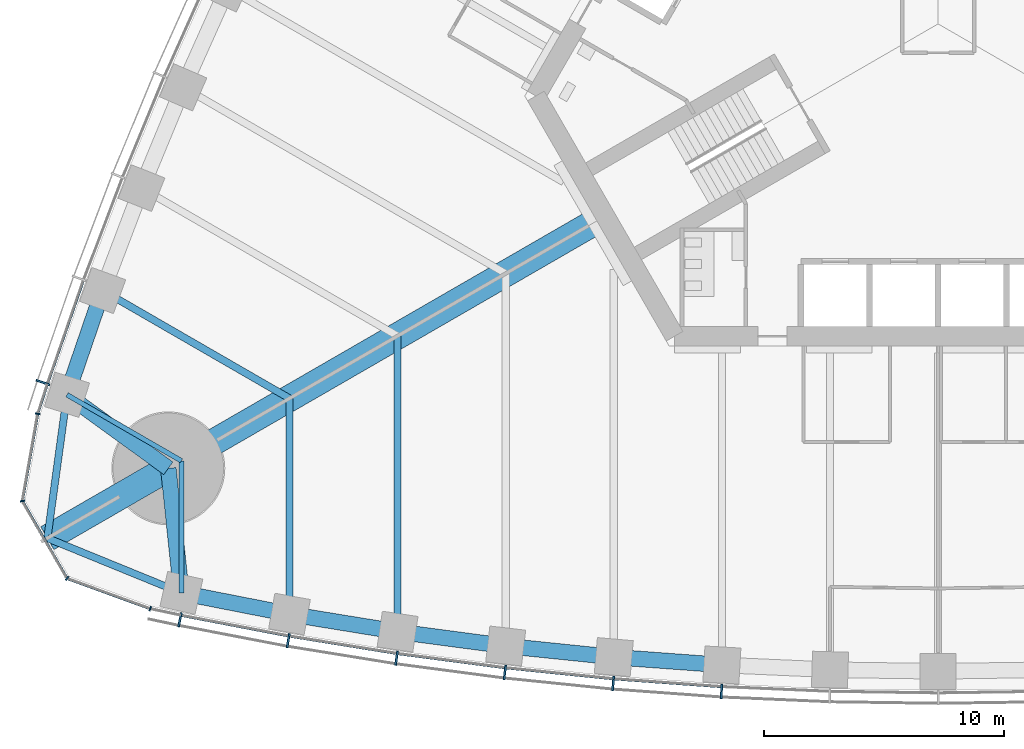
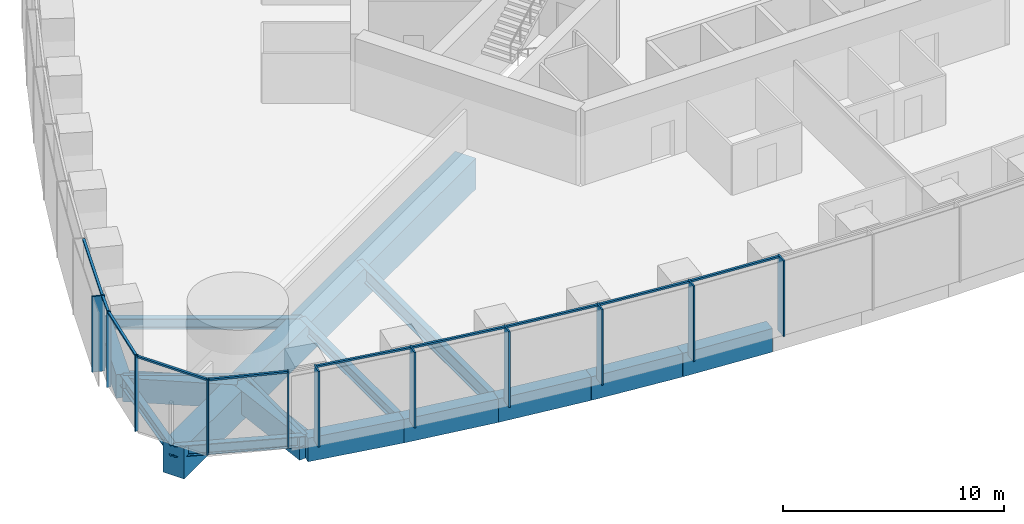
# One storey, part 2 of 18: 21 members, 17 beams, 3 elements without a shape of their own.
"""IFC4 building model written with IfcOpenShell, lengths in metres."""

import ifcopenshell
import ifcopenshell.guid

model = None  # the IFC model being written
_history = None  # IfcOwnerHistory: only IFC2X3 demands one
_inside = {}  # id of a spatial element -> (the spatial element, [elements in it])
_under = {}  # id of a project, library or spatial element -> (it, [spatial elements below it])
_declared = {}  # id of a project -> (the project, [libraries it declares])
_typed = {}  # id of a type object -> (the type object, [elements of that type])
_made_of = {}  # id of a material, layer set ... -> (it, [elements and type objects made of it])


def new_model(schema):
    """Start an empty IFC model of exactly this schema.

    Asked for "IFC4X3", IfcOpenShell would pick the latest addendum, in which some entities
    have other attributes; the version numbers below select the first issue.
    IFC2X3 requires an IfcOwnerHistory on every rooted entity: one is made here for all.
    """
    global model, _history
    if schema == "IFC4X3":
        model = ifcopenshell.file(schema_version=(4, 3, 0, 0))
    else:
        model = ifcopenshell.file(schema=schema)
    _inside.clear()
    _under.clear()
    _declared.clear()
    _typed.clear()
    _made_of.clear()
    _history = None
    if model.schema == "IFC2X3":
        org = make("IfcOrganization", Name="unknown")
        user = make(
            "IfcPersonAndOrganization",
            ThePerson=make("IfcPerson", FamilyName="unknown"),
            TheOrganization=org,
        )
        app = make(
            "IfcApplication",
            ApplicationDeveloper=org,
            Version="unknown",
            ApplicationFullName="unknown",
            ApplicationIdentifier="unknown",
        )
        _history = make(
            "IfcOwnerHistory",
            OwningUser=user,
            OwningApplication=app,
            ChangeAction="ADDED",
            CreationDate=0,
        )
    return model


def make(cls, **values):
    """One entity of the class cls with the attributes given. An attribute that is None is left unset."""
    return model.create_entity(
        cls, **{name: value for name, value in values.items() if value is not None}
    )


def rooted(cls, **values):
    """An entity with a GlobalId (a new one), such as an element, a storey or a relation."""
    return make(cls, GlobalId=ifcopenshell.guid.new(), OwnerHistory=_history, **values)


def si_unit(unit_type, name, prefix=None):
    """IfcSIUnit, for example si_unit("LENGTHUNIT", "METRE", prefix="MILLI")."""
    return make("IfcSIUnit", UnitType=unit_type, Prefix=prefix, Name=name)


def assignment(units):
    """IfcUnitAssignment: the units of a project."""
    return None if units is None else make("IfcUnitAssignment", Units=units)


def point(xyz):
    """IfcCartesianPoint."""
    return None if xyz is None else make("IfcCartesianPoint", Coordinates=xyz)


def direction(xyz):
    """IfcDirection."""
    return None if xyz is None else make("IfcDirection", DirectionRatios=xyz)


def frame(location, z_axis=None, x_axis=None):
    """IfcAxis2Placement3D, a coordinate frame: its origin and axes. An axis left out is left unset."""
    return make(
        "IfcAxis2Placement3D",
        Location=point(location),
        Axis=direction(z_axis),
        RefDirection=direction(x_axis),
    )


def frame_2d(location, x_axis=None):
    """IfcAxis2Placement2D, a coordinate frame in the plane: its origin and x axis."""
    return make(
        "IfcAxis2Placement2D", Location=point(location), RefDirection=direction(x_axis)
    )


def origin():
    """The frame at (0, 0, 0) with its axes left unset."""
    return frame((0.0, 0.0, 0.0))


def origin_2d():
    """The frame at (0, 0) in the plane with its x axis left unset."""
    return frame_2d((0.0, 0.0))


def place(relative_to, where):
    """IfcLocalPlacement: puts the frame where relative to a parent placement (None: the world)."""
    return make(
        "IfcLocalPlacement", PlacementRelTo=relative_to, RelativePlacement=where
    )


def context(
    kind, dimensions, precision=None, world=None, true_north=None, identifier=None
):
    """IfcGeometricRepresentationContext, for example the 3D "Model" context."""
    return make(
        "IfcGeometricRepresentationContext",
        ContextIdentifier=identifier,
        ContextType=kind,
        CoordinateSpaceDimension=dimensions,
        Precision=precision,
        WorldCoordinateSystem=world,
        TrueNorth=true_north,
    )


def subcontext(parent, identifier, kind, view, scale=None):
    """IfcGeometricRepresentationSubContext, for example "Body" below "Model"."""
    return make(
        "IfcGeometricRepresentationSubContext",
        ContextIdentifier=identifier,
        ContextType=kind,
        ParentContext=parent,
        TargetScale=scale,
        TargetView=view,
    )


def project(units=None, contexts=None):
    """IfcProject with its units and contexts."""
    return rooted(
        "IfcProject",
        Name="project",
        RepresentationContexts=contexts,
        UnitsInContext=assignment(units),
    )


def spatial(cls, under=None, at=None, **own):
    """A site, building, storey or space (cls), placed at a placement, below another one or the project."""
    s = rooted(cls, ObjectPlacement=at, **own)
    if under is not None:
        _under.setdefault(under.id(), (under, []))[1].append(s)
    return s


def profile(cls, at=None, kind="AREA", **sizes):
    """A parametric profile (cls). Its sizes go by their IFC names, for example OverallWidth=200.0."""
    return make(cls, ProfileType=kind, Position=at, **sizes)


def rectangle(**sizes):
    """IfcRectangleProfileDef."""
    return profile("IfcRectangleProfileDef", **sizes)


def i_section(**sizes):
    """IfcIShapeProfileDef."""
    return profile("IfcIShapeProfileDef", **sizes)


def extrude(swept, where, along, depth):
    """IfcExtrudedAreaSolid: the profile swept, set in the frame where, extruded along a direction by depth."""
    return make(
        "IfcExtrudedAreaSolid",
        SweptArea=swept,
        Position=where,
        ExtrudedDirection=direction(along),
        Depth=depth,
    )


def shape(context_of_items, identifier, shape_type, items):
    """IfcShapeRepresentation: the items that make up one representation, for example the "Body"."""
    return make(
        "IfcShapeRepresentation",
        ContextOfItems=context_of_items,
        RepresentationIdentifier=identifier,
        RepresentationType=shape_type,
        Items=items,
    )


def material(Name=None, Category=None):
    """IfcMaterial."""
    return make("IfcMaterial", Name=Name, Category=Category)


def material_profile(
    of_material, cross_section, Name=None, Category=None, Priority=None
):
    """IfcMaterialProfile: a cross section and its material."""
    return make(
        "IfcMaterialProfile",
        Name=Name,
        Material=of_material,
        Profile=cross_section,
        Priority=Priority,
        Category=Category,
    )


def profile_set(profiles, Name=None, composite=None):
    """IfcMaterialProfileSet."""
    return make(
        "IfcMaterialProfileSet",
        Name=Name,
        MaterialProfiles=profiles,
        CompositeProfile=composite,
    )


def made_of(thing, what):
    """Note that an element or type object is made of a material, layer set ...; save() writes the relation."""
    if what is not None:
        _made_of.setdefault(what.id(), (what, []))[1].append(thing)
    return thing


def type_object(cls, material=None, **own):
    """A type object (cls), such as IfcWallType, which elements share."""
    return made_of(rooted(cls, **own), material)


def element(
    cls,
    number,
    at=None,
    inside=None,
    cuts=None,
    type_object=None,
    material=None,
    context=None,
    identifier="Body",
    shape_type=None,
    held_by="IfcProductDefinitionShape",
    body=None,
    shapes=None,
    **own,
):
    """One element of the class cls, such as IfcWall. Its Tag is "e" and its number.

    at: its placement. inside: the storey or other place that contains it. cuts: it is an
    opening in that element (IfcRelVoidsElement). A single representation is given by context,
    identifier, shape_type and body (its items); several are given by shapes. held_by: the class
    of the entity that holds the representations. save() writes the other relations.
    """
    e = rooted(cls, Tag="e%d" % number, ObjectPlacement=at, **own)
    if body is not None:
        shapes = [shape(context, identifier, shape_type, body)]
    if shapes is not None:
        e.Representation = make(held_by, Representations=shapes)
    if inside is not None:
        _inside.setdefault(inside.id(), (inside, []))[1].append(e)
    if cuts is not None:
        rooted(
            "IfcRelVoidsElement", RelatingBuildingElement=cuts, RelatedOpeningElement=e
        )
    if type_object is not None:
        _typed.setdefault(type_object.id(), (type_object, []))[1].append(e)
    return made_of(e, material)


def aggregate(whole, parts):
    """IfcRelAggregates: a whole, such as a stair, and the parts it consists of."""
    return rooted("IfcRelAggregates", RelatingObject=whole, RelatedObjects=parts)


def save(model, path):
    """Write the relations noted so far, then the file.

    IfcRelAggregates (storeys below a building ...), IfcRelContainedInSpatialStructure (elements
    in a storey), IfcRelDefinesByType, IfcRelAssociatesMaterial and IfcRelDeclares: one each for
    every whole, place, type object, material and project.
    """
    for whole, parts in _under.values():
        aggregate(whole, parts)
    for where, things in _inside.values():
        rooted(
            "IfcRelContainedInSpatialStructure",
            RelatedElements=things,
            RelatingStructure=where,
        )
    for kind, things in _typed.values():
        rooted("IfcRelDefinesByType", RelatedObjects=things, RelatingType=kind)
    for what, things in _made_of.values():
        rooted("IfcRelAssociatesMaterial", RelatedObjects=things, RelatingMaterial=what)
    for by, libraries in _declared.values():
        rooted("IfcRelDeclares", RelatingContext=by, RelatedDefinitions=libraries)
    model.write(path)


model = new_model("IFC4")

# Units and contexts
model_context = context("Model", 3, precision=1e-05, world=origin(), true_north=direction((0.0, 1.0)))
body_context = subcontext(model_context, "Body", "Model", "MODEL_VIEW")
ifc_project = project(units=[si_unit("LENGTHUNIT", "METRE"), si_unit("AREAUNIT", "SQUARE_METRE"), si_unit("VOLUMEUNIT", "CUBIC_METRE"), si_unit("PLANEANGLEUNIT", "RADIAN"), si_unit("MASSUNIT", "GRAM", prefix="KILO")], contexts=[model_context])

# Site, building, storey
site_placement = place(None, origin())
site = spatial("IfcSite", under=ifc_project, at=site_placement, CompositionType="ELEMENT")
building_placement = place(site_placement, origin())
building = spatial("IfcBuilding", under=site, at=building_placement, Name="Trefoil Bronze Tower", CompositionType="ELEMENT")
storey_placement = place(building_placement, frame((0.0, 0.0, 37.5)))
storey = spatial("IfcBuildingStorey", under=building, at=storey_placement, Name="L08", CompositionType="ELEMENT", Elevation=37.5)

# Curtain wall, members
ifc_material_1 = material(Name="Tinted solar-control glass", Category="glass")
curtain_wall_type_1 = type_object("IfcCurtainWallType", Name="Bronze office curtain wall", PredefinedType="USERDEFINED", material=ifc_material_1)
curtain_wall_1_placement = place(storey_placement, origin())
curtain_wall_1 = element("IfcCurtainWall", 1, at=curtain_wall_1_placement, inside=storey, type_object=curtain_wall_type_1, Name="CW-A L08 F1", ObjectType="CURTAIN WALL", PredefinedType="USERDEFINED")
ifc_material_2 = material(Name="Bronze-finish aluminium", Category="aluminium")
ifc_material_profile_1 = material_profile(ifc_material_2, rectangle(XDim=0.60009765625, YDim=0.080078125, at=origin_2d()), Name="CW-A mullion")
ifc_profile_set_1 = profile_set([ifc_material_profile_1], Name="Bronze-finish aluminium")
member_type_1 = type_object("IfcMemberType", Name="Bronze office curtain wall mullion", PredefinedType="MULLION", material=ifc_profile_set_1)
member_1_placement = place(storey_placement, frame((-31.559326171875, -24.81005859375, 0.0), z_axis=(0.0, 0.0, 1.0), x_axis=(0.197910006829, 0.98022019424, 0.0)))
member_1 = element("IfcMember", 2, at=member_1_placement, type_object=member_type_1, Name="CW-A L08 F1 mullion 2", PredefinedType="MULLION", context=body_context, shape_type="SweptSolid", body=[
    extrude(rectangle(XDim=0.60009765625, YDim=0.080078125, at=origin_2d()), origin(), (0.0, 0.0, 1.0), 4.179931640625),
])
member_2_placement = place(storey_placement, frame((-27.05224609375, -25.67578125, 0.0), z_axis=(0.0, 0.0, 1.0), x_axis=(0.174131146426, 0.984722470468, 0.0)))
member_2 = element("IfcMember", 3, at=member_2_placement, type_object=member_type_1, Name="CW-A L08 F1 mullion 3", PredefinedType="MULLION", context=body_context, shape_type="SweptSolid", body=[
    extrude(rectangle(XDim=0.60009765625, YDim=0.080078125, at=origin_2d()), origin(), (0.0, 0.0, 1.0), 4.179931640625),
])
member_3_placement = place(storey_placement, frame((-22.54345703125, -26.40478515625, 0.0), z_axis=(0.0, 0.0, 1.0), x_axis=(0.145108990094, 0.989415676546, 0.0)))
member_3 = element("IfcMember", 4, at=member_3_placement, type_object=member_type_1, Name="CW-A L08 F1 mullion 4", PredefinedType="MULLION", context=body_context, shape_type="SweptSolid", body=[
    extrude(rectangle(XDim=0.60009765625, YDim=0.080078125, at=origin_2d()), origin(), (0.0, 0.0, 1.0), 4.179931640625),
])
member_4_placement = place(storey_placement, frame((-18.034912109375, -26.99853515625, 0.0), z_axis=(0.0, 0.0, 1.0), x_axis=(0.116086999973, 0.993239048989, 0.0)))
member_4 = element("IfcMember", 5, at=member_4_placement, type_object=member_type_1, Name="CW-A L08 F1 mullion 5", PredefinedType="MULLION", context=body_context, shape_type="SweptSolid", body=[
    extrude(rectangle(XDim=0.60009765625, YDim=0.080078125, at=origin_2d()), origin(), (0.0, 0.0, 1.0), 4.179931640625),
])
member_5_placement = place(storey_placement, frame((-13.526123046875, -27.458984375, 0.0), z_axis=(0.0, 0.0, 1.0), x_axis=(0.087065139456, 0.996202620701, 0.0)))
member_5 = element("IfcMember", 6, at=member_5_placement, type_object=member_type_1, Name="CW-A L08 F1 mullion 6", PredefinedType="MULLION", context=body_context, shape_type="SweptSolid", body=[
    extrude(rectangle(XDim=0.60009765625, YDim=0.080078125, at=origin_2d()), origin(), (0.0, 0.0, 1.0), 4.179931640625),
])
member_6_placement = place(storey_placement, frame((-9.017333984375, -27.786865234375, 0.0), z_axis=(0.0, 0.0, 1.0), x_axis=(0.058043374207, 0.998314062162, 0.0)))
member_6 = element("IfcMember", 7, at=member_6_placement, type_object=member_type_1, Name="CW-A L08 F1 mullion 7", PredefinedType="MULLION", context=body_context, shape_type="SweptSolid", body=[
    extrude(rectangle(XDim=0.60009765625, YDim=0.080078125, at=origin_2d()), origin(), (0.0, 0.0, 1.0), 4.179931640625),
])

# Curtain wall, member
curtain_wall_2_placement = place(storey_placement, origin())
curtain_wall_2 = element("IfcCurtainWall", 8, at=curtain_wall_2_placement, inside=storey, type_object=curtain_wall_type_1, Name="CW-A L08 F3", ObjectType="CURTAIN WALL", PredefinedType="USERDEFINED")
member_7_placement = place(storey_placement, frame((-37.265869140625, -14.92626953125, 0.0), z_axis=(0.0, 0.0, 1.0), x_axis=(0.947850592929, -0.318715003543, 0.0)))
member_7 = element("IfcMember", 9, at=member_7_placement, type_object=member_type_1, Name="CW-A L08 F3 mullion 16", PredefinedType="MULLION", context=body_context, shape_type="SweptSolid", body=[
    extrude(rectangle(XDim=0.60009765625, YDim=0.080078125, at=origin_2d()), origin(), (0.0, 0.0, 1.0), 4.179931640625),
])

# Member
ifc_material_3 = material(Name="Bronze-finish aluminium", Category="aluminium")
ifc_material_profile_2 = material_profile(ifc_material_3, rectangle(XDim=0.1201171875, YDim=0.10009765625, at=origin_2d()), Name="CW-A transom")
ifc_profile_set_2 = profile_set([ifc_material_profile_2], Name="Bronze-finish aluminium")
member_type_2 = type_object("IfcMemberType", Name="Bronze office curtain wall transom", PredefinedType="USERDEFINED", material=ifc_profile_set_2)
member_8_placement = place(storey_placement, frame((-31.4794921875, -24.621826171875, 4.1298828125), z_axis=(0.982053603997, -0.188602011855, 0.0), x_axis=(0.188602011855, 0.982053603997, 0.0)))
member_8 = element("IfcMember", 10, at=member_8_placement, type_object=member_type_2, Name="CW-A L08 F1 transom 2", ObjectType="TRANSOM", PredefinedType="USERDEFINED", context=body_context, shape_type="SweptSolid", body=[
    extrude(rectangle(XDim=0.1201171875, YDim=0.10009765625, at=origin_2d()), origin(), (0.0, 0.0, 1.0), 4.502197265625),
])

member_9_placement = place(storey_placement, frame((-26.9765625, -25.4853515625, 4.1298828125), z_axis=(0.987179401487, -0.159614627398, 0.0), x_axis=(0.159614627398, 0.987179401487, 0.0)))
member_9 = element("IfcMember", 11, at=member_9_placement, type_object=member_type_2, Name="CW-A L08 F1 transom 3", ObjectType="TRANSOM", PredefinedType="USERDEFINED", context=body_context, shape_type="SweptSolid", body=[
    extrude(rectangle(XDim=0.1201171875, YDim=0.10009765625, at=origin_2d()), origin(), (0.0, 0.0, 1.0), 4.478515625),
])

member_10_placement = place(storey_placement, frame((-22.473388671875, -26.212158203125, 4.1298828125), z_axis=(0.991436581643, -0.13058906761, 0.0), x_axis=(0.13058906761, 0.991436581643, 0.0)))
member_10 = element("IfcMember", 12, at=member_10_placement, type_object=member_type_2, Name="CW-A L08 F1 transom 4", ObjectType="TRANSOM", PredefinedType="USERDEFINED", context=body_context, shape_type="SweptSolid", body=[
    extrude(rectangle(XDim=0.1201171875, YDim=0.10009765625, at=origin_2d()), origin(), (0.0, 0.0, 1.0), 4.458740234375),
])

member_11_placement = place(storey_placement, frame((-17.970458984375, -26.80419921875, 4.1298828125), z_axis=(0.994831650915, -0.101538102888, 0.0), x_axis=(0.101538102888, 0.994831650915, 0.0)))
member_11 = element("IfcMember", 13, at=member_11_placement, type_object=member_type_2, Name="CW-A L08 F1 transom 5", ObjectType="TRANSOM", PredefinedType="USERDEFINED", context=body_context, shape_type="SweptSolid", body=[
    extrude(rectangle(XDim=0.1201171875, YDim=0.10009765625, at=origin_2d()), origin(), (0.0, 0.0, 1.0), 4.443359375),
])

member_12_placement = place(storey_placement, frame((-13.46728515625, -27.2626953125, 4.1298828125), z_axis=(0.997364729945, -0.07255064067, 0.0), x_axis=(0.07255064067, 0.997364729945, 0.0)))
member_12 = element("IfcMember", 14, at=member_12_placement, type_object=member_type_2, Name="CW-A L08 F1 transom 6", ObjectType="TRANSOM", PredefinedType="USERDEFINED", context=body_context, shape_type="SweptSolid", body=[
    extrude(rectangle(XDim=0.1201171875, YDim=0.10009765625, at=origin_2d()), origin(), (0.0, 0.0, 1.0), 4.431884765625),
])

aggregate(curtain_wall_1, [member_1, member_2, member_3, member_4, member_5, member_6, member_8, member_9, member_10, member_11, member_12])

member_13_placement = place(storey_placement, frame((-35.587646484375, -10.697509765625, 4.1298828125), z_axis=(-0.327689728493, -0.944785394595, 0.0), x_axis=(0.944785394595, -0.327689728493, 0.0)))
member_13 = element("IfcMember", 15, at=member_13_placement, type_object=member_type_2, Name="CW-A L08 F3 transom 15", ObjectType="TRANSOM", PredefinedType="USERDEFINED", context=body_context, shape_type="SweptSolid", body=[
    extrude(rectangle(XDim=0.1201171875, YDim=0.10009765625, at=origin_2d()), origin(), (0.0, 0.0, 1.0), 4.502197265625),
])

member_14_placement = place(storey_placement, frame((-37.089111328125, -15.02880859375, 4.1298828125), z_axis=(-0.309624219148, -0.950859002648, 0.0), x_axis=(0.950859002648, -0.309624219148, 0.0)))
member_14 = element("IfcMember", 16, at=member_14_placement, type_object=member_type_2, Name="CW-A L08 F3 transom 16", ObjectType="TRANSOM", PredefinedType="USERDEFINED", context=body_context, shape_type="SweptSolid", body=[
    extrude(rectangle(XDim=0.1201171875, YDim=0.10009765625, at=origin_2d()), origin(), (0.0, 0.0, 1.0), 1.21044921875),
])

aggregate(curtain_wall_2, [member_7, member_13, member_14])

# Curtain wall, members
ifc_material_4 = material(Name="Tinted solar-control glass", Category="glass")
curtain_wall_type_2 = type_object("IfcCurtainWallType", Name="Bronze rounded corner curtain wall", PredefinedType="USERDEFINED", material=ifc_material_4)
curtain_wall_3_placement = place(storey_placement, origin())
curtain_wall_3 = element("IfcCurtainWall", 17, at=curtain_wall_3_placement, inside=storey, type_object=curtain_wall_type_2, Name="CW-B L08 K3", ObjectType="CURTAIN WALL", PredefinedType="USERDEFINED")
ifc_material_5 = material(Name="Bronze-finish aluminium", Category="aluminium")
ifc_material_profile_3 = material_profile(ifc_material_5, rectangle(XDim=0.199951171875, YDim=0.06005859375, at=origin_2d()), Name="CW-B mullion")
ifc_profile_set_3 = profile_set([ifc_material_profile_3], Name="Bronze-finish aluminium")
member_type_3 = type_object("IfcMemberType", Name="Bronze rounded corner curtain wall mullion", PredefinedType="MULLION", material=ifc_profile_set_3)
member_15_placement = place(storey_placement, frame((-37.479736328125, -16.2314453125, 0.0), z_axis=(0.0, 0.0, 1.0), x_axis=(0.984807753012, -0.173648177667, 0.0)))
member_15 = element("IfcMember", 18, at=member_15_placement, type_object=member_type_3, Name="CW-B L08 K3 mullion 1", PredefinedType="MULLION", context=body_context, shape_type="SweptSolid", body=[
    extrude(rectangle(XDim=0.199951171875, YDim=0.06005859375, at=origin_2d()), origin(), (0.0, 0.0, 1.0), 4.179931640625),
])
member_16_placement = place(storey_placement, frame((-38.11328125, -19.85888671875, 0.0), z_axis=(0.0, 0.0, 1.0), x_axis=(0.984807753012, 0.173648177667, 0.0)))
member_16 = element("IfcMember", 19, at=member_16_placement, type_object=member_type_3, Name="CW-B L08 K3 mullion 2", PredefinedType="MULLION", context=body_context, shape_type="SweptSolid", body=[
    extrude(rectangle(XDim=0.199951171875, YDim=0.06005859375, at=origin_2d()), origin(), (0.0, 0.0, 1.0), 4.179931640625),
])
member_17_placement = place(storey_placement, frame((-36.2548828125, -23.07763671875, 0.0), z_axis=(0.0, 0.0, 1.0), x_axis=(0.642787609687, 0.766044443119, 0.0)))
member_17 = element("IfcMember", 20, at=member_17_placement, type_object=member_type_3, Name="CW-B L08 K3 mullion 3", PredefinedType="MULLION", context=body_context, shape_type="SweptSolid", body=[
    extrude(rectangle(XDim=0.199951171875, YDim=0.06005859375, at=origin_2d()), origin(), (0.0, 0.0, 1.0), 4.179931640625),
])
member_18_placement = place(storey_placement, frame((-32.796630859375, -24.3427734375, 0.0), z_axis=(0.0, 0.0, 1.0), x_axis=(0.342020143326, 0.939692620786, 0.0)))
member_18 = element("IfcMember", 21, at=member_18_placement, type_object=member_type_3, Name="CW-B L08 K3 mullion 4", PredefinedType="MULLION", context=body_context, shape_type="SweptSolid", body=[
    extrude(rectangle(XDim=0.199951171875, YDim=0.06005859375, at=origin_2d()), origin(), (0.0, 0.0, 1.0), 4.179931640625),
])
ifc_material_6 = material(Name="Bronze-finish aluminium", Category="aluminium")
ifc_material_profile_4 = material_profile(ifc_material_6, rectangle(XDim=0.1201171875, YDim=0.10009765625, at=origin_2d()), Name="CW-B transom")
ifc_profile_set_4 = profile_set([ifc_material_profile_4], Name="Bronze-finish aluminium")
member_type_4 = type_object("IfcMemberType", Name="Bronze rounded corner curtain wall transom", PredefinedType="USERDEFINED", material=ifc_profile_set_4)
member_19_placement = place(storey_placement, frame((-37.48486328125, -16.260986328125, 4.1298828125), z_axis=(-0.17363783606, -0.984809576461, 0.0), x_axis=(0.984809576461, -0.17363783606, 0.0)))
member_19 = element("IfcMember", 22, at=member_19_placement, type_object=member_type_4, Name="CW-B L08 K3 transom 1", ObjectType="TRANSOM", PredefinedType="USERDEFINED", context=body_context, shape_type="SweptSolid", body=[
    extrude(rectangle(XDim=0.1201171875, YDim=0.10009765625, at=origin_2d()), origin(), (0.0, 0.0, 1.0), 3.588134765625),
])
member_20_placement = place(storey_placement, frame((-38.08642578125, -19.91748046875, 4.1298828125), z_axis=(0.500024788772, -0.866011091507, 0.0), x_axis=(0.866011091507, 0.500024788772, 0.0)))
member_20 = element("IfcMember", 23, at=member_20_placement, type_object=member_type_4, Name="CW-B L08 K3 transom 2", ObjectType="TRANSOM", PredefinedType="USERDEFINED", context=body_context, shape_type="SweptSolid", body=[
    extrude(rectangle(XDim=0.1201171875, YDim=0.10009765625, at=origin_2d()), origin(), (0.0, 0.0, 1.0), 3.588134765625),
])
member_21_placement = place(storey_placement, frame((-36.196533203125, -23.105224609375, 4.1298828125), z_axis=(0.939688092095, -0.342032585545, 0.0), x_axis=(0.342032585545, 0.939688092095, 0.0)))
member_21 = element("IfcMember", 24, at=member_21_placement, type_object=member_type_4, Name="CW-B L08 K3 transom 3", ObjectType="TRANSOM", PredefinedType="USERDEFINED", context=body_context, shape_type="SweptSolid", body=[
    extrude(rectangle(XDim=0.1201171875, YDim=0.10009765625, at=origin_2d()), origin(), (0.0, 0.0, 1.0), 3.588134765625),
])
aggregate(curtain_wall_3, [member_15, member_16, member_17, member_18, member_19, member_20, member_21])

# Beams
ifc_material_7 = material(Name="Concrete B80", Category="concrete")
ifc_material_profile_5 = material_profile(ifc_material_7, rectangle(XDim=1.10009765625, YDim=1.699951171875, at=origin_2d()), Name="RC 1100x1700")
ifc_profile_set_5 = profile_set([ifc_material_profile_5], Name="Concrete B80")
beam_type_1 = type_object("IfcBeamType", Name="Corner cantilever RC 1100x1700", PredefinedType="BEAM", material=ifc_profile_set_5)
beam_1_placement = place(storey_placement, frame((-32.04296875, -18.5, -1.050048828125), z_axis=(-0.866030348588, -0.499991435252, 0.0), x_axis=(0.499991435252, -0.866030348588, 0.0)))
element("IfcBeam", 25, at=beam_1_placement, inside=storey, type_object=beam_type_1, Name="Corner cantilever K3 L08", PredefinedType="BEAM", context=body_context, shape_type="SweptSolid", body=[
    extrude(rectangle(XDim=1.10009765625, YDim=1.699951171875, at=origin_2d()), origin(), (0.0, 0.0, 1.0), 5.81396484375),
])
ifc_material_8 = material(Name="Steel C355", Category="steel")
ifc_material_profile_6 = material_profile(ifc_material_8, i_section(OverallWidth=0.300048828125, OverallDepth=0.60009765625, WebThickness=0.015380859375, FlangeThickness=0.030029296875, FilletRadius=0.027099609375, at=origin_2d()), Name="HEB 600")
ifc_profile_set_6 = profile_set([ifc_material_profile_6], Name="Steel C355")
beam_type_2 = type_object("IfcBeamType", Name="Corner edge beam HEB 600", PredefinedType="BEAM", material=ifc_profile_set_6)
beam_2_placement = place(storey_placement, frame((-31.5, -23.684814453125, -0.5), z_axis=(-0.925786874353, 0.378045848114, 0.0), x_axis=(-0.378045848114, -0.925786874353, 0.0)))
element("IfcBeam", 26, at=beam_2_placement, inside=storey, type_object=beam_type_2, Name="Corner edge beam F1B L08", PredefinedType="BEAM", context=body_context, shape_type="SweptSolid", body=[
    extrude(i_section(OverallWidth=0.300048828125, OverallDepth=0.60009765625, WebThickness=0.015380859375, FlangeThickness=0.030029296875, FilletRadius=0.027099609375, at=origin_2d()), origin(), (0.0, 0.0, 1.0), 6.025390625),
])
beam_3_placement = place(storey_placement, frame((-36.26171875, -15.4375, -0.5), z_axis=(-0.13550196505, -0.990777077585, 0.0), x_axis=(0.990777077585, -0.13550196505, 0.0)))
element("IfcBeam", 27, at=beam_3_placement, inside=storey, type_object=beam_type_2, Name="Corner edge beam F3A L08", PredefinedType="BEAM", context=body_context, shape_type="SweptSolid", body=[
    extrude(i_section(OverallWidth=0.300048828125, OverallDepth=0.60009765625, WebThickness=0.015380859375, FlangeThickness=0.030029296875, FilletRadius=0.027099609375, at=origin_2d()), origin(), (0.0, 0.0, 1.0), 6.025146484375),
])
ifc_material_9 = material(Name="Concrete B80", Category="concrete")
ifc_material_profile_7 = material_profile(ifc_material_9, rectangle(XDim=1.10009765625, YDim=1.699951171875, at=origin_2d()), Name="RC 1100x1700")
ifc_profile_set_7 = profile_set([ifc_material_profile_7], Name="Concrete B80")
beam_type_3 = type_object("IfcBeamType", Name="Corner girder RC 1100x1700", PredefinedType="BEAM", material=ifc_profile_set_7)
beam_4_placement = place(storey_placement, frame((-14.202880859375, -8.199951171875, -1.050048828125), z_axis=(-0.866023947468, -0.500002522405, 0.0), x_axis=(0.500002522405, -0.866023947468, 0.0)))
element("IfcBeam", 28, at=beam_4_placement, inside=storey, type_object=beam_type_3, Name="Corner girder K3 L08", PredefinedType="BEAM", context=body_context, shape_type="SweptSolid", body=[
    extrude(rectangle(XDim=1.10009765625, YDim=1.699951171875, at=origin_2d()), origin(), (0.0, 0.0, 1.0), 20.60009765625),
])
ifc_material_10 = material(Name="Concrete B80", Category="concrete")
ifc_material_profile_8 = material_profile(ifc_material_10, rectangle(XDim=0.64990234375, YDim=1.300048828125, at=origin_2d()), Name="RC 650x1300")
ifc_profile_set_8 = profile_set([ifc_material_profile_8], Name="Concrete B80")
beam_type_4 = type_object("IfcBeamType", Name="End spandrel beam RC 650x1300", PredefinedType="SPANDREL", material=ifc_profile_set_8)
for number, where, z_axis, x_axis, name in (
    (29, (-32.04296875, -18.5, -0.85009765625), (0.104153327908, -0.994561252154, 0.0), (0.994561252154, 0.104153327908, 0.0), "Spandrel F1.1 L08"),
    (30, (-36.26171875, -15.4375, -0.85009765625), (0.809254211267, -0.587458612624, 0.0), (0.587458612624, 0.809254211267, 0.0), "Spandrel F3.16 L08"),
):
    element("IfcBeam", number, at=place(storey_placement, frame(where, z_axis=z_axis, x_axis=x_axis)), inside=storey, type_object=beam_type_4, Name=name, PredefinedType="SPANDREL", context=body_context, shape_type="SweptSolid", body=[
        extrude(rectangle(XDim=0.64990234375, YDim=1.300048828125, at=origin_2d()), origin(), (0.0, 0.0, 1.0), 5.213134765625),
    ])
ifc_material_11 = material(Name="Steel C355", Category="steel")
ifc_material_profile_9 = material_profile(ifc_material_11, i_section(OverallWidth=0.300048828125, OverallDepth=0.590087890625, WebThickness=0.012939453125, FlangeThickness=0.02490234375, FilletRadius=0.027099609375, at=origin_2d()), Name="HEA 600")
ifc_profile_set_9 = profile_set([ifc_material_profile_9], Name="Steel C355")
beam_type_5 = type_object("IfcBeamType", Name="Floor beam HEA 600", PredefinedType="BEAM", material=ifc_profile_set_9)
for number, where, z_axis, x_axis, name in (
    (31, (-27.0, -24.56787109375, -0.4951171875), (0.0, 1.0, 0.0), (-1.0, 0.0, 0.0), "Floor beam F1/-6 L08"),
    (32, (-34.7763671875, -11.0986328125, -0.4951171875), (0.866022587327, -0.500004878216, 0.0), (0.500004878216, 0.866022587327, 0.0), "Floor beam F3/+6 L08"),
):
    element("IfcBeam", number, at=place(storey_placement, frame(where, z_axis=z_axis, x_axis=x_axis)), inside=storey, type_object=beam_type_5, Name=name, PredefinedType="BEAM", context=body_context, shape_type="SweptSolid", body=[
        extrude(i_section(OverallWidth=0.300048828125, OverallDepth=0.590087890625, WebThickness=0.012939453125, FlangeThickness=0.02490234375, FilletRadius=0.027099609375, at=origin_2d()), origin(), (0.0, 0.0, 1.0), 8.9794921875),
    ])
ifc_material_12 = material(Name="Steel C355", Category="steel")
ifc_material_profile_10 = material_profile(ifc_material_12, i_section(OverallWidth=0.300048828125, OverallDepth=0.800048828125, WebThickness=0.017578125, FlangeThickness=0.032958984375, FilletRadius=0.030029296875, at=origin_2d()), Name="HEB 800")
ifc_profile_set_10 = profile_set([ifc_material_profile_10], Name="Steel C355")
beam_type_6 = type_object("IfcBeamType", Name="Floor beam HEB 800", PredefinedType="BEAM", material=ifc_profile_set_10)
beam_5_placement = place(storey_placement, frame((-22.5, -25.29931640625, -0.60009765625), z_axis=(0.0, 1.0, 0.0), x_axis=(-1.0, 0.0, 0.0)))
element("IfcBeam", 33, at=beam_5_placement, inside=storey, type_object=beam_type_6, Name="Floor beam F1/-5 L08", PredefinedType="BEAM", context=body_context, shape_type="SweptSolid", body=[
    extrude(i_section(OverallWidth=0.300048828125, OverallDepth=0.800048828125, WebThickness=0.017578125, FlangeThickness=0.032958984375, FilletRadius=0.030029296875, at=origin_2d()), origin(), (0.0, 0.0, 1.0), 12.308837890625),
])
ifc_material_13 = material(Name="Steel C355", Category="steel")
ifc_material_profile_11 = material_profile(ifc_material_13, i_section(OverallWidth=0.199951171875, OverallDepth=0.5, WebThickness=0.01025390625, FlangeThickness=0.01611328125, FilletRadius=0.02099609375, at=origin_2d()), Name="IPE 500")
ifc_profile_set_11 = profile_set([ifc_material_profile_11], Name="Steel C355")
beam_type_7 = type_object("IfcBeamType", Name="Floor beam IPE 500", PredefinedType="BEAM", material=ifc_profile_set_11)
for number, where, z_axis, x_axis, name in (
    (34, (-31.5, -23.684814453125, -0.449951171875), (0.0, 1.0, 0.0), (-1.0, 0.0, 0.0), "Floor beam F1/-7 L08"),
    (35, (-36.26171875, -15.4375, -0.449951171875), (0.866037702141, -0.499978698016, 0.0), (0.499978698016, 0.866037702141, 0.0), "Floor beam F3/+7 L08"),
):
    element("IfcBeam", number, at=place(storey_placement, frame(where, z_axis=z_axis, x_axis=x_axis)), inside=storey, type_object=beam_type_7, Name=name, PredefinedType="BEAM", context=body_context, shape_type="SweptSolid", body=[
        extrude(i_section(OverallWidth=0.199951171875, OverallDepth=0.5, WebThickness=0.01025390625, FlangeThickness=0.01611328125, FilletRadius=0.02099609375, at=origin_2d()), origin(), (0.0, 0.0, 1.0), 5.498291015625),
    ])
ifc_material_14 = material(Name="Concrete B80", Category="concrete")
ifc_material_profile_12 = material_profile(ifc_material_14, rectangle(XDim=0.64990234375, YDim=1.300048828125, at=origin_2d()), Name="RC 650x1300")
ifc_profile_set_12 = profile_set([ifc_material_profile_12], Name="Concrete B80")
beam_type_8 = type_object("IfcBeamType", Name="Spandrel beam RC 650x1300", PredefinedType="SPANDREL", material=ifc_profile_set_12)
beam_6_placement = place(storey_placement, frame((-31.5, -23.684814453125, -0.85009765625), z_axis=(0.981284764092, -0.192562228283, 0.0), x_axis=(0.192562228283, 0.981284764092, 0.0)))
element("IfcBeam", 36, at=beam_6_placement, inside=storey, type_object=beam_type_8, Name="Spandrel F1.2 L08", PredefinedType="SPANDREL", context=body_context, shape_type="SweptSolid", body=[
    extrude(rectangle(XDim=0.64990234375, YDim=1.300048828125, at=origin_2d()), origin(), (0.0, 0.0, 1.0), 4.5859375),
])
beam_7_placement = place(storey_placement, frame((-27.0, -24.56787109375, -0.85009765625), z_axis=(0.987045951254, -0.160437807615, 0.0), x_axis=(0.160437807615, 0.987045951254, 0.0)))
element("IfcBeam", 37, at=beam_7_placement, inside=storey, type_object=beam_type_8, Name="Spandrel F1.3 L08", PredefinedType="SPANDREL", context=body_context, shape_type="SweptSolid", body=[
    extrude(rectangle(XDim=0.64990234375, YDim=1.300048828125, at=origin_2d()), origin(), (0.0, 0.0, 1.0), 4.55908203125),
])
beam_8_placement = place(storey_placement, frame((-22.5, -25.29931640625, -0.85009765625), z_axis=(0.991344474846, -0.131286450906, 0.0), x_axis=(0.131286450906, 0.991344474846, 0.0)))
element("IfcBeam", 38, at=beam_8_placement, inside=storey, type_object=beam_type_8, Name="Spandrel F1.4 L08", PredefinedType="SPANDREL", context=body_context, shape_type="SweptSolid", body=[
    extrude(rectangle(XDim=0.64990234375, YDim=1.300048828125, at=origin_2d()), origin(), (0.0, 0.0, 1.0), 4.539306640625),
])
beam_9_placement = place(storey_placement, frame((-18.0, -25.895263671875, -0.85009765625), z_axis=(0.994778488621, -0.102057623805, 0.0), x_axis=(0.102057623805, 0.994778488621, 0.0)))
element("IfcBeam", 39, at=beam_9_placement, inside=storey, type_object=beam_type_8, Name="Spandrel F1.5 L08", PredefinedType="SPANDREL", context=body_context, shape_type="SweptSolid", body=[
    extrude(rectangle(XDim=0.64990234375, YDim=1.300048828125, at=origin_2d()), origin(), (0.0, 0.0, 1.0), 4.523681640625),
])
beam_10_placement = place(storey_placement, frame((-13.5, -26.35693359375, -0.85009765625), z_axis=(0.997336412354, -0.072938882588, 0.0), x_axis=(0.072938882588, 0.997336412354, 0.0)))
element("IfcBeam", 40, at=beam_10_placement, inside=storey, type_object=beam_type_8, Name="Spandrel F1.6 L08", PredefinedType="SPANDREL", context=body_context, shape_type="SweptSolid", body=[
    extrude(rectangle(XDim=0.64990234375, YDim=1.300048828125, at=origin_2d()), origin(), (0.0, 0.0, 1.0), 4.511962890625),
])
beam_11_placement = place(storey_placement, frame((-34.7763671875, -11.0986328125, -0.85009765625), z_axis=(-0.323883319148, -0.946097032855, 0.0), x_axis=(0.946097032855, -0.323883319148, 0.0)))
element("IfcBeam", 41, at=beam_11_placement, inside=storey, type_object=beam_type_8, Name="Spandrel F3.15 L08", PredefinedType="SPANDREL", context=body_context, shape_type="SweptSolid", body=[
    extrude(rectangle(XDim=0.64990234375, YDim=1.300048828125, at=origin_2d()), origin(), (0.0, 0.0, 1.0), 4.586181640625),
])

save(model, "model.ifc")
